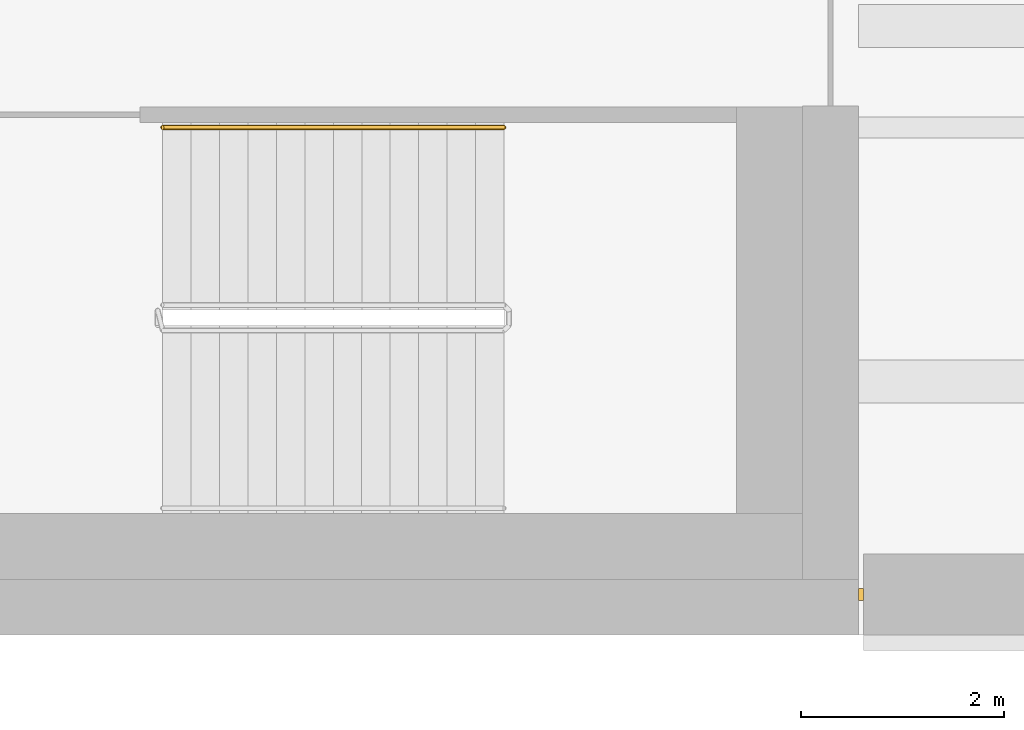
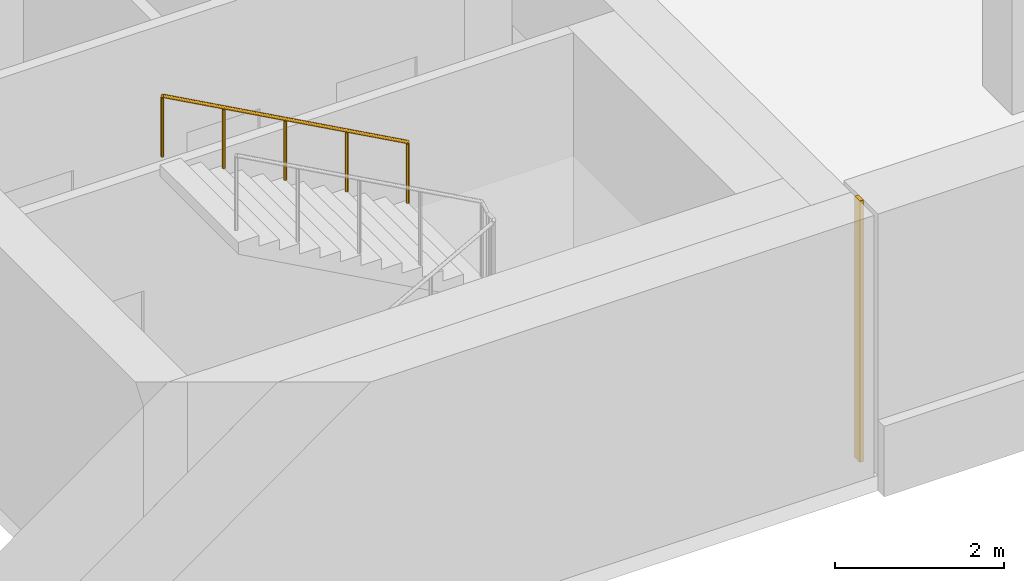
# One storey, part 14 of 16: 1 covering, 1 railing.
"""IFC4 building model written with IfcOpenShell, lengths in metres."""

from ifc_helpers import new_model, si_unit, direction, frame, origin, origin_2d, place, context, subcontext, project, spatial, rectangle, circle, extrude, material, layer, layer_set, type_object, element, save


model = new_model("IFC4")

# Units and contexts
model_context = context("Model", 3, precision=1e-05, world=origin(), true_north=direction((0.0, 1.0)))
body_context = subcontext(model_context, "Body", "Model", "MODEL_VIEW")
ifc_project = project(units=[si_unit("LENGTHUNIT", "METRE"), si_unit("AREAUNIT", "SQUARE_METRE"), si_unit("VOLUMEUNIT", "CUBIC_METRE"), si_unit("PLANEANGLEUNIT", "RADIAN"), si_unit("MASSUNIT", "GRAM", prefix="KILO")], contexts=[model_context])

# Site, building, storey
site_placement = place(None, origin())
site = spatial("IfcSite", under=ifc_project, at=site_placement, CompositionType="ELEMENT")
building_placement = place(site_placement, origin())
building = spatial("IfcBuilding", under=site, at=building_placement, Name="Zellij Exchange Tower", CompositionType="ELEMENT")
storey_placement = place(building_placement, frame((0.0, 0.0, 272.5)))
storey = spatial("IfcBuildingStorey", under=building, at=storey_placement, Name="L64", CompositionType="ELEMENT", Elevation=272.5)

# Railing
ifc_material_1 = material(Name="Stainless steel", Category="steel")
railing_type = type_object("IfcRailingType", Name="CORE-RH stair handrail", PredefinedType="HANDRAIL", material=ifc_material_1)
railing_placement = place(storey_placement, frame((23.510009765625, -9.0, 2.15380859375)))
element("IfcRailing", 1, at=railing_placement, inside=storey, type_object=railing_type, Name="ST4 stair handrail L64", PredefinedType="HANDRAIL", context=body_context, shape_type="SweptSolid", body=[
    extrude(circle(Radius=0.02392578125, at=origin_2d()), frame((0.0, 0.0, 0.8759765625), z_axis=(-0.876421534553, 0.0, 0.481544695509), x_axis=(0.0, -1.0, 0.0)), (0.0, 0.0, 1.0), 3.833984375),
    extrude(circle(Radius=0.02099609375, at=origin_2d()), origin(), (0.0, 0.0, 1.0), 0.851806640625),
    extrude(circle(Radius=0.02099609375, at=origin_2d()), frame((-0.840087890625, 0.0, 0.46142578125)), (0.0, 0.0, 1.0), 0.851806640625),
    extrude(circle(Radius=0.02099609375, at=origin_2d()), frame((-1.68017578125, 0.0, 0.923095703125)), (0.0, 0.0, 1.0), 0.851806640625),
    extrude(circle(Radius=0.02099609375, at=origin_2d()), frame((-2.52001953125, 0.0, 1.384765625)), (0.0, 0.0, 1.0), 0.851806640625),
    extrude(circle(Radius=0.02099609375, at=origin_2d()), frame((-3.360107421875, 0.0, 1.84619140625)), (0.0, 0.0, 1.0), 0.851806640625),
])

# Covering
ifc_material_2 = material(Name="Limestone cladding", Category="masonry")
ifc_layer = layer(ifc_material_2, 0.1201171875)
ifc_layer_set = layer_set([ifc_layer], Name="Limestone cladding")
covering_type = type_object("IfcCoveringType", Name="ENV-CV18 Glazing closer 120", PredefinedType="CLADDING", material=ifc_layer_set)
covering_placement = place(storey_placement, frame((27.02490234375, -13.60009765625, 0.0), z_axis=(0.0, 0.0, 1.0), x_axis=(-1.0, 0.0, 0.0)))
element("IfcCovering", 2, at=covering_placement, inside=storey, type_object=covering_type, Name="Glazing closer", PredefinedType="CLADDING", context=body_context, shape_type="SweptSolid", body=[
    extrude(rectangle(XDim=0.050048828125, YDim=0.1201171875, at=origin_2d()), origin(), (0.0, 0.0, 1.0), 3.780029296875),
])

save(model, "model.ifc")
